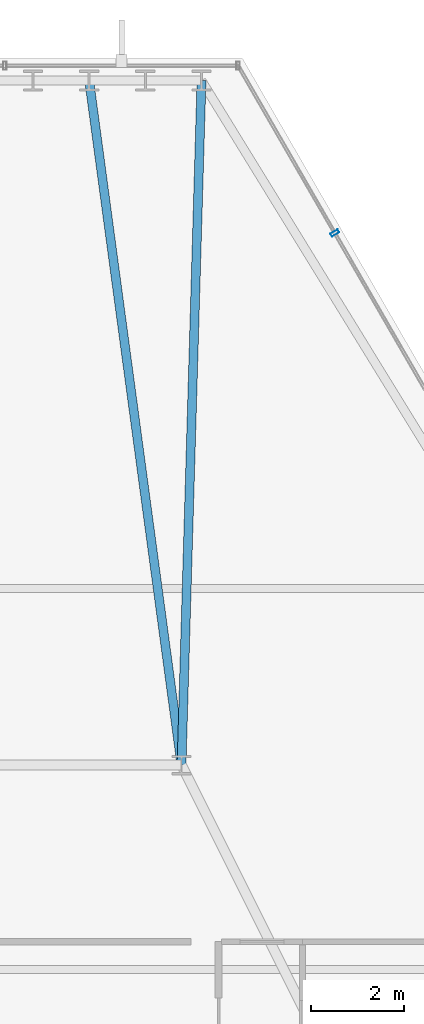
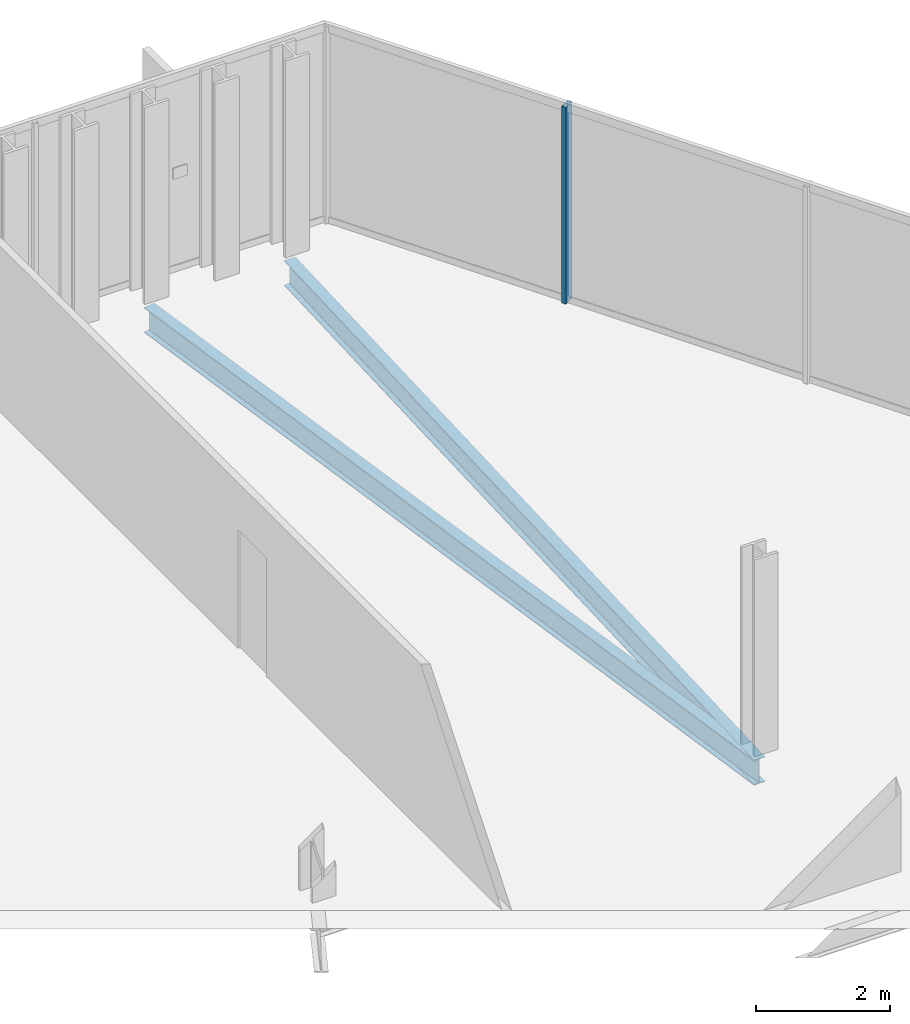
# One storey, part 24 of 35: 2 beams, 1 member, 1 element without a shape of its own.
"""IFC4 building model written with IfcOpenShell, lengths in metres."""

from ifc_helpers import new_model, si_unit, direction, frame, origin, origin_2d, place, context, subcontext, project, spatial, hollow_rectangle, i_section, extrude, material, layer, layer_set, material_profile, profile_set, type_object, element, aggregate, save


model = new_model("IFC4")

# Units and contexts
model_context = context("Model", 3, precision=1e-05, world=origin(), true_north=direction((0.0, 1.0)))
body_context = subcontext(model_context, "Body", "Model", "MODEL_VIEW")
ifc_project = project(units=[si_unit("LENGTHUNIT", "METRE"), si_unit("AREAUNIT", "SQUARE_METRE"), si_unit("VOLUMEUNIT", "CUBIC_METRE"), si_unit("PLANEANGLEUNIT", "RADIAN"), si_unit("MASSUNIT", "GRAM", prefix="KILO")], contexts=[model_context])

# Site, building, storey
site_placement = place(None, origin())
site = spatial("IfcSite", under=ifc_project, at=site_placement, CompositionType="ELEMENT")
building_placement = place(site_placement, origin())
building = spatial("IfcBuilding", under=site, at=building_placement, Name="Ndaravel Arena Tower", CompositionType="ELEMENT")
storey_placement = place(building_placement, frame((0.0, 0.0, 176.39990234375)))
storey = spatial("IfcBuildingStorey", under=building, at=storey_placement, Name="L42", CompositionType="ELEMENT", Elevation=176.39990234375)

# Beams
ifc_material_1 = material(Name="Steel S355", Category="steel")
ifc_material_profile_1 = material_profile(ifc_material_1, i_section(OverallWidth=0.19140625, OverallDepth=0.4599609375, WebThickness=0.010009765625, FlangeThickness=0.01611328125, FilletRadius=0.01025390625, at=origin_2d()), Name="UB 457x191x82")
ifc_profile_set_1 = profile_set([ifc_material_profile_1], Name="Steel S355")
beam_type = type_object("IfcBeamType", Name="BM-GIRD-UB457", PredefinedType="BEAM", material=ifc_profile_set_1)
beam_1_placement = place(storey_placement, frame((46.229736328125, 45.92822265625, -0.449951171875), z_axis=(-0.029161925391, -0.999574700614, 0.0), x_axis=(0.999574700614, -0.029161925391, 0.0)))
element("IfcBeam", 1, at=beam_1_placement, inside=storey, type_object=beam_type, Name="L42 Radial Floor Girder FG-11", PredefinedType="BEAM", context=body_context, shape_type="SweptSolid", body=[
    extrude(i_section(OverallWidth=0.19140625, OverallDepth=0.4599609375, WebThickness=0.010009765625, FlangeThickness=0.01611328125, FilletRadius=0.01025390625, at=origin_2d()), origin(), (0.0, 0.0, 1.0), 14.734619140625),
])
beam_2_placement = place(storey_placement, frame((43.812744140625, 45.92822265625, -0.449951171875), z_axis=(0.133719502898, -0.991019220068, 0.0), x_axis=(0.991019220068, 0.133719502898, 0.0)))
element("IfcBeam", 2, at=beam_2_placement, inside=storey, type_object=beam_type, Name="L42 Radial Floor Girder FG-13", PredefinedType="BEAM", context=body_context, shape_type="SweptSolid", body=[
    extrude(i_section(OverallWidth=0.19140625, OverallDepth=0.4599609375, WebThickness=0.010009765625, FlangeThickness=0.01611328125, FilletRadius=0.01025390625, at=origin_2d()), origin(), (0.0, 0.0, 1.0), 14.86181640625),
])

# Curtain wall, member
ifc_material_2 = material(Name="Aluminium", Category="aluminium")
ifc_layer = layer(ifc_material_2, 0.179931640625)
ifc_layer_set = layer_set([ifc_layer], Name="Aluminium")
curtain_wall_type = type_object("IfcCurtainWallType", Name="CW-SYS-03", PredefinedType="NOTDEFINED", material=ifc_layer_set)
curtain_wall_placement = place(storey_placement, origin())
curtain_wall = element("IfcCurtainWall", 3, at=curtain_wall_placement, inside=storey, type_object=curtain_wall_type, Name="L42 Faceted Crystal Curtain Wall CW-L42-E03", PredefinedType="NOTDEFINED")
ifc_material_3 = material(Name="Aluminium", Category="aluminium")
ifc_material_profile_2 = material_profile(ifc_material_3, hollow_rectangle(XDim=0.074951171875, YDim=0.179931640625, WallThickness=0.00390625, at=origin_2d()), Name="CW MULLION 75x180x4")
ifc_profile_set_2 = profile_set([ifc_material_profile_2], Name="Aluminium")
member_type = type_object("IfcMemberType", Name="MEM-CW-MUL180", PredefinedType="MULLION", material=ifc_profile_set_2)
member_placement = place(storey_placement, frame((49.096923828125, 42.648681640625, 0.0), z_axis=(0.0, 0.0, 1.0), x_axis=(-0.5, 0.866025403784, 0.0)))
member = element("IfcMember", 4, at=member_placement, type_object=member_type, Name="CW-L42-E03 Mullion 08", PredefinedType="MULLION", context=body_context, shape_type="SweptSolid", body=[
    extrude(hollow_rectangle(XDim=0.074951171875, YDim=0.179931640625, WallThickness=0.00390625, at=origin_2d()), origin(), (0.0, 0.0, 1.0), 3.580078125),
])
aggregate(curtain_wall, [member])

save(model, "model.ifc")
